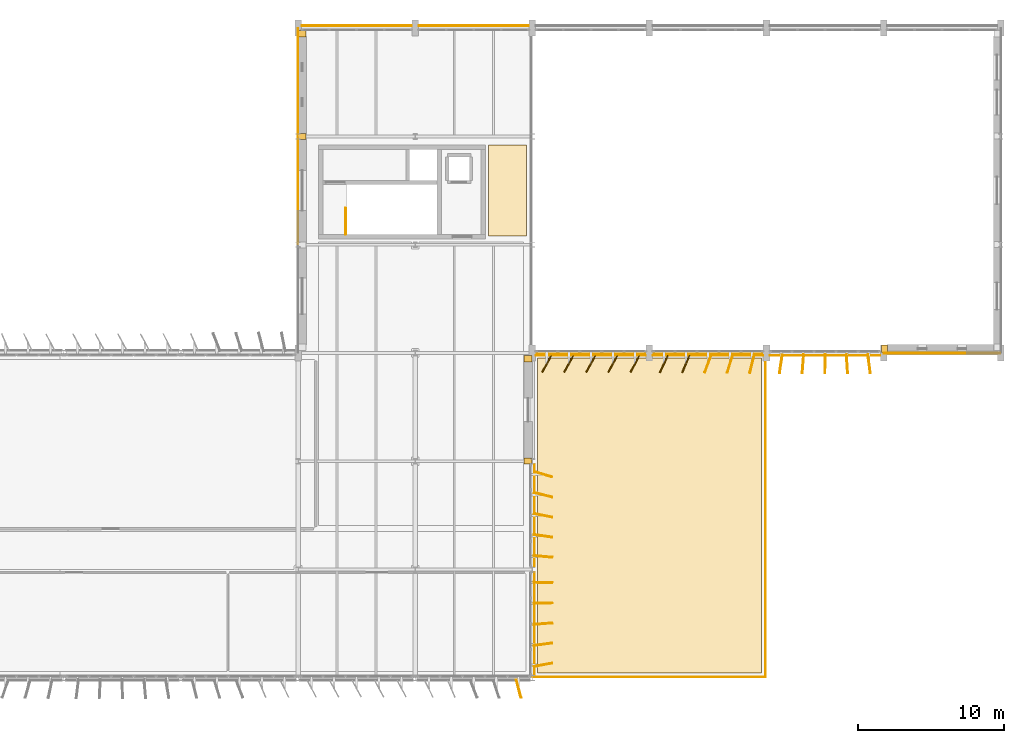
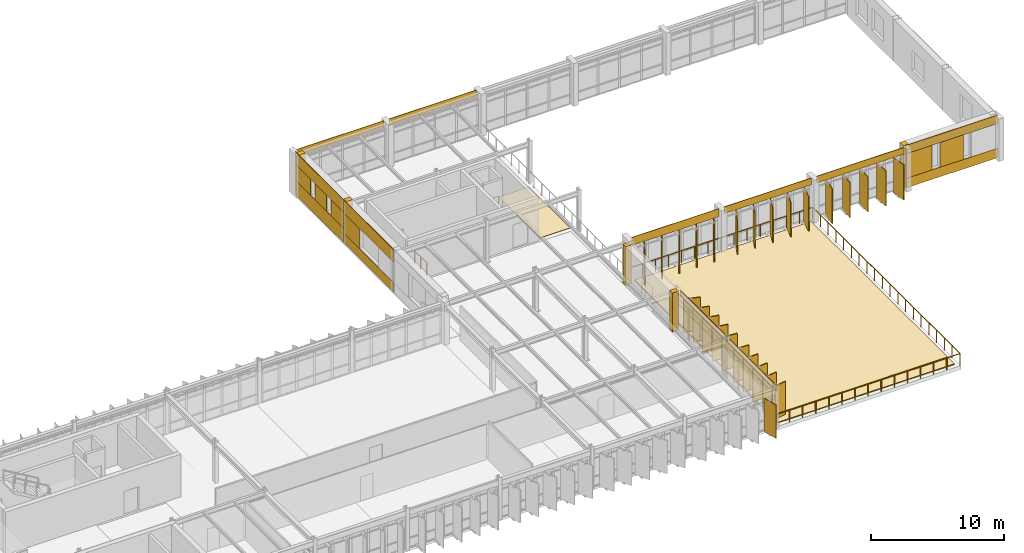
# One storey, part 44 of 45: 52 coverings, 4 railings.
"""IFC4 building model written with IfcOpenShell, lengths in metres."""

from ifc_helpers import new_model, si_unit, direction, frame, frame_2d, origin, origin_2d, place, context, subcontext, project, spatial, polyline, rectangle, circle, outline, extrude, material, layer, layer_set, type_object, element, save


model = new_model("IFC4")

# Units and contexts
model_context = context("Model", 3, precision=1e-05, world=origin(), true_north=direction((0.0, 1.0)))
body_context = subcontext(model_context, "Body", "Model", "MODEL_VIEW")
ifc_project = project(units=[si_unit("LENGTHUNIT", "METRE"), si_unit("AREAUNIT", "SQUARE_METRE"), si_unit("VOLUMEUNIT", "CUBIC_METRE"), si_unit("PLANEANGLEUNIT", "RADIAN"), si_unit("MASSUNIT", "GRAM", prefix="KILO")], contexts=[model_context])

# Site, building, storey
site_placement = place(None, origin())
site = spatial("IfcSite", under=ifc_project, at=site_placement, CompositionType="ELEMENT")
building_placement = place(site_placement, origin())
building = spatial("IfcBuilding", under=site, at=building_placement, Name="Valkorina Park Police Headquarters", CompositionType="ELEMENT")
storey_placement = place(building_placement, frame((0.0, 0.0, 23.300048828125)))
storey = spatial("IfcBuildingStorey", under=building, at=storey_placement, Name="L06", CompositionType="ELEMENT", Elevation=23.300048828125)

# Coverings
ifc_material_1 = material(Name="Precast concrete C40/50", Category="concrete")
ifc_layer_1 = layer(ifc_material_1, 0.044921875)
ifc_layer_set_1 = layer_set([ifc_layer_1], Name="Precast concrete C40/50")
covering_type_1 = type_object("IfcCoveringType", Name="COV-CLAD-DOLOMITE", PredefinedType="CLADDING", material=ifc_layer_set_1)
covering_1_placement = place(storey_placement, frame((81.090087890625, 73.97998046875, 0.0), z_axis=(0.0, 0.0, 1.0), x_axis=(0.0, 1.0, 0.0)))
element("IfcCovering", 1, at=covering_1_placement, inside=storey, type_object=covering_type_1, Name="L06 Exterior Joint Closure Pilaster B 2493", PredefinedType="CLADDING", context=body_context, shape_type="SweptSolid", body=[
    extrude(rectangle(XDim=0.419921875, YDim=0.52197265625, at=origin_2d()), origin(), (0.0, 0.0, 1.0), 3.89990234375),
])
covering_2_placement = place(storey_placement, frame((80.784912109375, 66.6201171875, 0.0), z_axis=(0.0, 0.0, 1.0), x_axis=(0.0, 1.0, 0.0)))
element("IfcCovering", 2, at=covering_2_placement, inside=storey, type_object=covering_type_1, Name="L06 Calm Concrete Base Sill Spandrel 2494", PredefinedType="CLADDING", context=body_context, shape_type="SweptSolid", body=[
    extrude(rectangle(XDim=7.35986328125, YDim=0.044921875, at=frame_2d((3.679931640625, 0.0))), origin(), (0.0, 0.0, 1.0), 0.869873046875),
])
covering_3_placement = place(storey_placement, frame((80.784912109375, 66.6201171875, 2.72998046875), z_axis=(0.0, 0.0, 1.0), x_axis=(0.0, 1.0, 0.0)))
element("IfcCovering", 3, at=covering_3_placement, inside=storey, type_object=covering_type_1, Name="L06 Calm Concrete Base Lintel Spandrel 2495", PredefinedType="CLADDING", context=body_context, shape_type="SweptSolid", body=[
    extrude(rectangle(XDim=7.35986328125, YDim=0.044921875, at=frame_2d((3.679931640625, 0.0))), origin(), (0.0, 0.0, 1.0), 1.169921875),
])
covering_4_placement = place(storey_placement, frame((80.784912109375, 71.72509765625, 0.869873046875), z_axis=(0.0, 0.0, 1.0), x_axis=(0.0, 1.0, 0.0)))
element("IfcCovering", 4, at=covering_4_placement, inside=storey, type_object=covering_type_1, Name="L06 Calm Concrete Base Slot Pier 2497", PredefinedType="CLADDING", context=body_context, shape_type="SweptSolid", body=[
    extrude(rectangle(XDim=2.2548828125, YDim=0.044921875, at=frame_2d((1.12744140625, 0.0))), origin(), (0.0, 0.0, 1.0), 1.860107421875),
])
covering_5_placement = place(storey_placement, frame((81.090087890625, 81.010009765625, 0.0), z_axis=(0.0, 0.0, 1.0), x_axis=(0.0, 1.0, 0.0)))
element("IfcCovering", 5, at=covering_5_placement, inside=storey, type_object=covering_type_1, Name="L06 Exterior Joint Closure Pilaster B 2498", PredefinedType="CLADDING", context=body_context, shape_type="SweptSolid", body=[
    extrude(rectangle(XDim=0.419921875, YDim=0.52197265625, at=origin_2d()), origin(), (0.0, 0.0, 1.0), 3.89990234375),
])
covering_6_placement = place(storey_placement, frame((80.784912109375, 74.02001953125, 0.0), z_axis=(0.0, 0.0, 1.0), x_axis=(0.0, 1.0, 0.0)))
element("IfcCovering", 6, at=covering_6_placement, inside=storey, type_object=covering_type_1, Name="L06 Calm Concrete Base Sill Spandrel 2499", PredefinedType="CLADDING", context=body_context, shape_type="SweptSolid", body=[
    extrude(rectangle(XDim=7.35986328125, YDim=0.044921875, at=frame_2d((3.679931640625, 0.0))), origin(), (0.0, 0.0, 1.0), 1.320068359375),
])
covering_7_placement = place(storey_placement, frame((80.784912109375, 74.02001953125, 2.780029296875), z_axis=(0.0, 0.0, 1.0), x_axis=(0.0, 1.0, 0.0)))
element("IfcCovering", 7, at=covering_7_placement, inside=storey, type_object=covering_type_1, Name="L06 Calm Concrete Base Lintel Spandrel 2500", PredefinedType="CLADDING", context=body_context, shape_type="SweptSolid", body=[
    extrude(rectangle(XDim=7.35986328125, YDim=0.044921875, at=frame_2d((3.679931640625, 0.0))), origin(), (0.0, 0.0, 1.0), 1.119873046875),
])
covering_8_placement = place(storey_placement, frame((80.784912109375, 74.02001953125, 1.320068359375), z_axis=(0.0, 0.0, 1.0), x_axis=(0.0, 1.0, 0.0)))
element("IfcCovering", 8, at=covering_8_placement, inside=storey, type_object=covering_type_1, Name="L06 Calm Concrete Base Slot Pier 2501", PredefinedType="CLADDING", context=body_context, shape_type="SweptSolid", body=[
    extrude(rectangle(XDim=1.972900390625, YDim=0.044921875, at=frame_2d((0.986328125, 0.0))), origin(), (0.0, 0.0, 1.0), 1.4599609375),
])
covering_9_placement = place(storey_placement, frame((80.784912109375, 76.64306640625, 1.320068359375), z_axis=(0.0, 0.0, 1.0), x_axis=(0.0, 1.0, 0.0)))
element("IfcCovering", 9, at=covering_9_placement, inside=storey, type_object=covering_type_1, Name="L06 Calm Concrete Base Slot Pier 2502", PredefinedType="CLADDING", context=body_context, shape_type="SweptSolid", body=[
    extrude(rectangle(XDim=1.743896484375, YDim=0.044921875, at=frame_2d((0.8720703125, 0.0))), origin(), (0.0, 0.0, 1.0), 1.4599609375),
])
covering_10_placement = place(storey_placement, frame((80.784912109375, 79.037109375, 1.320068359375), z_axis=(0.0, 0.0, 1.0), x_axis=(0.0, 1.0, 0.0)))
element("IfcCovering", 10, at=covering_10_placement, inside=storey, type_object=covering_type_1, Name="L06 Calm Concrete Base Slot Pier 2503", PredefinedType="CLADDING", context=body_context, shape_type="SweptSolid", body=[
    extrude(rectangle(XDim=2.3427734375, YDim=0.044921875, at=frame_2d((1.17138671875, 0.0))), origin(), (0.0, 0.0, 1.0), 1.4599609375),
])
for number, where, z_axis, x_axis, name in (
    (11, (81.034912109375, 81.56005859375, 3.280029296875), (0.0, 0.0, 1.0), (1.0, 0.0, 0.0), "L06 Spandrel Beam Insulated Fascia 2504"),
    (12, (89.034912109375, 81.56005859375, 3.280029296875), (0.0, 0.0, 1.0), (1.0, 0.0, 0.0), "L06 Spandrel Beam Insulated Fascia 2505"),
):
    element("IfcCovering", number, at=place(storey_placement, frame(where, z_axis=z_axis, x_axis=x_axis)), inside=storey, type_object=covering_type_1, Name=name, PredefinedType="CLADDING", context=body_context, shape_type="SweptSolid", body=[
        extrude(rectangle(XDim=7.530029296875, YDim=0.044921875, at=frame_2d((3.76513671875, 0.0))), origin(), (0.0, 0.0, 1.0), 0.619873046875),
    ])
covering_11_placement = place(storey_placement, frame((120.864990234375, 59.489990234375, 0.0), z_axis=(0.0, 0.0, 1.0), x_axis=(1.0, 0.0, 0.0)))
element("IfcCovering", 13, at=covering_11_placement, inside=storey, type_object=covering_type_1, Name="L06 Exterior Joint Closure Pilaster B 2527", PredefinedType="CLADDING", context=body_context, shape_type="SweptSolid", body=[
    extrude(rectangle(XDim=0.419921875, YDim=0.52197265625, at=origin_2d()), origin(), (0.0, 0.0, 1.0), 3.89990234375),
])
covering_12_placement = place(storey_placement, frame((128.780029296875, 59.18505859375, 0.0), z_axis=(0.0, 0.0, 1.0), x_axis=(-1.0, 0.0, 0.0)))
element("IfcCovering", 14, at=covering_12_placement, inside=storey, type_object=covering_type_1, Name="L06 Calm Concrete Base Sill Spandrel 2528", PredefinedType="CLADDING", context=body_context, shape_type="SweptSolid", body=[
    extrude(rectangle(XDim=7.9599609375, YDim=0.044921875, at=frame_2d((3.97998046875, 0.0))), origin(), (0.0, 0.0, 1.0), 0.869873046875),
])
covering_13_placement = place(storey_placement, frame((128.780029296875, 59.18505859375, 3.1298828125), z_axis=(0.0, 0.0, 1.0), x_axis=(-1.0, 0.0, 0.0)))
element("IfcCovering", 15, at=covering_13_placement, inside=storey, type_object=covering_type_1, Name="L06 Calm Concrete Base Lintel Spandrel 2529", PredefinedType="CLADDING", context=body_context, shape_type="SweptSolid", body=[
    extrude(rectangle(XDim=7.9599609375, YDim=0.044921875, at=frame_2d((3.97998046875, 0.0))), origin(), (0.0, 0.0, 1.0), 0.77001953125),
])
covering_14_placement = place(storey_placement, frame((125.805419921875, 59.18505859375, 0.869873046875), z_axis=(0.0, 0.0, 1.0), x_axis=(-1.0, 0.0, 0.0)))
element("IfcCovering", 16, at=covering_14_placement, inside=storey, type_object=covering_type_1, Name="L06 Calm Concrete Base Slot Pier 2531", PredefinedType="CLADDING", context=body_context, shape_type="SweptSolid", body=[
    extrude(rectangle(XDim=2.0107421875, YDim=0.044921875, at=frame_2d((1.00537109375, 0.0))), origin(), (0.0, 0.0, 1.0), 2.260009765625),
])
covering_15_placement = place(storey_placement, frame((123.094482421875, 59.18505859375, 0.869873046875), z_axis=(0.0, 0.0, 1.0), x_axis=(-1.0, 0.0, 0.0)))
element("IfcCovering", 17, at=covering_15_placement, inside=storey, type_object=covering_type_1, Name="L06 Calm Concrete Base Slot Pier 2532", PredefinedType="CLADDING", context=body_context, shape_type="SweptSolid", body=[
    extrude(rectangle(XDim=2.2744140625, YDim=0.044921875, at=frame_2d((1.13720703125, 0.0))), origin(), (0.0, 0.0, 1.0), 2.260009765625),
])
for number, where, z_axis, x_axis, name in (
    (18, (120.56494140625, 59.0400390625, 3.280029296875), (0.0, 0.0, 1.0), (-1.0, 0.0, 0.0), "L06 Spandrel Beam Insulated Fascia 2533"),
    (19, (112.56494140625, 59.0400390625, 3.280029296875), (0.0, 0.0, 1.0), (-1.0, 0.0, 0.0), "L06 Spandrel Beam Insulated Fascia 2534"),
):
    element("IfcCovering", number, at=place(storey_placement, frame(where, z_axis=z_axis, x_axis=x_axis)), inside=storey, type_object=covering_type_1, Name=name, PredefinedType="CLADDING", context=body_context, shape_type="SweptSolid", body=[
        extrude(rectangle(XDim=7.530029296875, YDim=0.044921875, at=frame_2d((3.76513671875, 0.0))), origin(), (0.0, 0.0, 1.0), 0.619873046875),
    ])
covering_16_placement = place(storey_placement, frame((104.56494140625, 59.0400390625, 3.169921875), z_axis=(0.0, 0.0, 1.0), x_axis=(-1.0, 0.0, 0.0)))
element("IfcCovering", 20, at=covering_16_placement, inside=storey, type_object=covering_type_1, Name="L06 Spandrel Beam Insulated Fascia 2535", PredefinedType="CLADDING", context=body_context, shape_type="SweptSolid", body=[
    extrude(rectangle(XDim=7.530029296875, YDim=0.044921875, at=frame_2d((3.76513671875, 0.0))), origin(), (0.0, 0.0, 1.0), 0.72998046875),
])
for number, where, z_axis, x_axis, name in (
    (21, (96.510009765625, 58.81005859375, 0.0), (0.0, 0.0, 1.0), (0.0, 1.0, 0.0), "L06 Exterior Joint Closure Pilaster A 2536"),
    (22, (96.510009765625, 51.820068359375, 0.0), (0.0, 0.0, 1.0), (0.0, 1.0, 0.0), "L06 Exterior Joint Closure Pilaster B 2537"),
):
    element("IfcCovering", number, at=place(storey_placement, frame(where, z_axis=z_axis, x_axis=x_axis)), inside=storey, type_object=covering_type_1, Name=name, PredefinedType="CLADDING", context=body_context, shape_type="SweptSolid", body=[
        extrude(rectangle(XDim=0.419921875, YDim=0.52197265625, at=origin_2d()), origin(), (0.0, 0.0, 1.0), 3.570068359375),
    ])
for number, where, z_axis, x_axis, name in (
    (23, (96.9599609375, 51.610107421875, 3.10986328125), (0.0, 0.0, 1.0), (0.0, -1.0, 0.0), "L06 Spandrel Beam Insulated Fascia 2538"),
    (24, (96.9599609375, 44.2099609375, 3.10986328125), (0.0, 0.0, 1.0), (0.0, -1.0, 0.0), "L06 Spandrel Beam Insulated Fascia 2539"),
):
    element("IfcCovering", number, at=place(storey_placement, frame(where, z_axis=z_axis, x_axis=x_axis)), inside=storey, type_object=covering_type_1, Name=name, PredefinedType="CLADDING", context=body_context, shape_type="SweptSolid", body=[
        extrude(rectangle(XDim=7.02001953125, YDim=0.044921875, at=frame_2d((3.510009765625, 0.0))), origin(), (0.0, 0.0, 1.0), 0.460205078125),
    ])
ifc_material_2 = material(Name="Resin terrazzo flooring")
ifc_layer_2 = layer(ifc_material_2, 0.030029296875)
ifc_layer_set_2 = layer_set([ifc_layer_2], Name="Resin terrazzo flooring")
covering_type_2 = type_object("IfcCoveringType", Name="COV-FLOOR-TERRAZZO", PredefinedType="FLOORING", material=ifc_layer_set_2)
covering_17_placement = place(storey_placement, origin())
element("IfcCovering", 25, at=covering_17_placement, inside=storey, type_object=covering_type_2, Name="Crisis Gallery East Link Corridor Terrazzo Flooring", PredefinedType="FLOORING", context=body_context, shape_type="SweptSolid", body=[
    extrude(outline(polyline([(93.800048828125, 73.39990234375), (93.800048828125, 67.199951171875), (96.39990234375, 67.199951171875), (96.39990234375, 73.39990234375), (93.800048828125, 73.39990234375)])), origin(), (0.0, 0.0, 1.0), 0.030029296875),
])
ifc_material_3 = material(Name="Planted green roof substrate")
ifc_layer_3 = layer(ifc_material_3, 0.080078125)
ifc_layer_set_3 = layer_set([ifc_layer_3], Name="Planted green roof substrate")
covering_type_3 = type_object("IfcCoveringType", Name="COV-ROOF-GREEN", PredefinedType="ROOFING", material=ifc_layer_set_3)
covering_18_placement = place(storey_placement, origin())
element("IfcCovering", 26, at=covering_18_placement, inside=storey, type_object=covering_type_3, Name="L06 Investigation Stepped Terrace Planted Substrate", PredefinedType="ROOFING", context=body_context, shape_type="SweptSolid", body=[
    extrude(outline(polyline([(112.449951171875, 58.842041015625), (97.14990234375, 58.842041015625), (97.14990234375, 37.35009765625), (112.449951171875, 37.35009765625), (112.449951171875, 58.842041015625)])), origin(), (0.0, 0.0, 1.0), 0.079833984375),
])

# Railings
ifc_material_4 = material(Name="Stainless steel EN 1.4404", Category="steel")
railing_type_1 = type_object("IfcRailingType", Name="RL-GUARD-EXT-1100", PredefinedType="BALUSTRADE", material=ifc_material_4)
railing_1_placement = place(storey_placement, frame((96.860107421875, 37.06005859375, 0.0)))
element("IfcRailing", 27, at=railing_1_placement, inside=storey, type_object=railing_type_1, Name="TERR-L06-EAST Perimeter Balustrade Guard 8", PredefinedType="BALUSTRADE", context=body_context, shape_type="SweptSolid", body=[
    extrude(circle(Radius=0.02392578125, at=origin_2d()), frame((0.0, 0.0, 1.09619140625), z_axis=(1.0, 0.0, 0.0), x_axis=(0.0, 1.0, 0.0)), (0.0, 0.0, 1.0), 15.8798828125),
    extrude(circle(Radius=0.02099609375, at=origin_2d()), origin(), (0.0, 0.0, 1.0), 1.072021484375),
    extrude(circle(Radius=0.02099609375, at=origin_2d()), frame((1.13427734375, 0.0, 0.0)), (0.0, 0.0, 1.0), 1.072021484375),
    extrude(circle(Radius=0.02099609375, at=origin_2d()), frame((2.2685546875, 0.0, 0.0)), (0.0, 0.0, 1.0), 1.072021484375),
    extrude(circle(Radius=0.02099609375, at=origin_2d()), frame((3.40283203125, 0.0, 0.0)), (0.0, 0.0, 1.0), 1.072021484375),
    extrude(circle(Radius=0.02099609375, at=origin_2d()), frame((4.537109375, 0.0, 0.0)), (0.0, 0.0, 1.0), 1.072021484375),
    extrude(circle(Radius=0.02099609375, at=origin_2d()), frame((5.67138671875, 0.0, 0.0)), (0.0, 0.0, 1.0), 1.072021484375),
    extrude(circle(Radius=0.02099609375, at=origin_2d()), frame((6.8056640625, 0.0, 0.0)), (0.0, 0.0, 1.0), 1.072021484375),
    extrude(circle(Radius=0.02099609375, at=origin_2d()), frame((7.93994140625, 0.0, 0.0)), (0.0, 0.0, 1.0), 1.072021484375),
    extrude(circle(Radius=0.02099609375, at=origin_2d()), frame((9.07421875, 0.0, 0.0)), (0.0, 0.0, 1.0), 1.072021484375),
    extrude(circle(Radius=0.02099609375, at=origin_2d()), frame((10.20849609375, 0.0, 0.0)), (0.0, 0.0, 1.0), 1.072021484375),
    extrude(circle(Radius=0.02099609375, at=origin_2d()), frame((11.3427734375, 0.0, 0.0)), (0.0, 0.0, 1.0), 1.072021484375),
    extrude(circle(Radius=0.02099609375, at=origin_2d()), frame((12.47705078125, 0.0, 0.0)), (0.0, 0.0, 1.0), 1.072021484375),
    extrude(circle(Radius=0.02099609375, at=origin_2d()), frame((13.611328125, 0.0, 0.0)), (0.0, 0.0, 1.0), 1.072021484375),
    extrude(circle(Radius=0.02099609375, at=origin_2d()), frame((14.74560546875, 0.0, 0.0)), (0.0, 0.0, 1.0), 1.072021484375),
    extrude(circle(Radius=0.02099609375, at=origin_2d()), frame((15.8798828125, 0.0, 0.0)), (0.0, 0.0, 1.0), 1.072021484375),
])
railing_2_placement = place(storey_placement, frame((112.739990234375, 37.06005859375, 0.0)))
element("IfcRailing", 28, at=railing_2_placement, inside=storey, type_object=railing_type_1, Name="TERR-L06-EAST Perimeter Balustrade Guard 9", PredefinedType="BALUSTRADE", context=body_context, shape_type="SweptSolid", body=[
    extrude(circle(Radius=0.02392578125, at=origin_2d()), frame((0.0, 0.0, 1.09619140625), z_axis=(0.0, 1.0, 0.0), x_axis=(-1.0, 0.0, 0.0)), (0.0, 0.0, 1.0), 22.072021484375),
    extrude(circle(Radius=0.02099609375, at=origin_2d()), origin(), (0.0, 0.0, 1.0), 1.072021484375),
    extrude(circle(Radius=0.02099609375, at=origin_2d()), frame((0.0, 1.16162109375, 0.0)), (0.0, 0.0, 1.0), 1.072021484375),
    extrude(circle(Radius=0.02099609375, at=origin_2d()), frame((0.0, 2.323486328125, 0.0)), (0.0, 0.0, 1.0), 1.072021484375),
    extrude(circle(Radius=0.02099609375, at=origin_2d()), frame((0.0, 3.485107421875, 0.0)), (0.0, 0.0, 1.0), 1.072021484375),
    extrude(circle(Radius=0.02099609375, at=origin_2d()), frame((0.0, 4.646728515625, 0.0)), (0.0, 0.0, 1.0), 1.072021484375),
    extrude(circle(Radius=0.02099609375, at=origin_2d()), frame((0.0, 5.808349609375, 0.0)), (0.0, 0.0, 1.0), 1.072021484375),
    extrude(circle(Radius=0.02099609375, at=origin_2d()), frame((0.0, 6.97021484375, 0.0)), (0.0, 0.0, 1.0), 1.072021484375),
    extrude(circle(Radius=0.02099609375, at=origin_2d()), frame((0.0, 8.1318359375, 0.0)), (0.0, 0.0, 1.0), 1.072021484375),
    extrude(circle(Radius=0.02099609375, at=origin_2d()), frame((0.0, 9.29345703125, 0.0)), (0.0, 0.0, 1.0), 1.072021484375),
    extrude(circle(Radius=0.02099609375, at=origin_2d()), frame((0.0, 10.455078125, 0.0)), (0.0, 0.0, 1.0), 1.072021484375),
    extrude(circle(Radius=0.02099609375, at=origin_2d()), frame((0.0, 11.616943359375, 0.0)), (0.0, 0.0, 1.0), 1.072021484375),
    extrude(circle(Radius=0.02099609375, at=origin_2d()), frame((0.0, 12.778564453125, 0.0)), (0.0, 0.0, 1.0), 1.072021484375),
    extrude(circle(Radius=0.02099609375, at=origin_2d()), frame((0.0, 13.940185546875, 0.0)), (0.0, 0.0, 1.0), 1.072021484375),
    extrude(circle(Radius=0.02099609375, at=origin_2d()), frame((0.0, 15.101806640625, 0.0)), (0.0, 0.0, 1.0), 1.072021484375),
    extrude(circle(Radius=0.02099609375, at=origin_2d()), frame((0.0, 16.263671875, 0.0)), (0.0, 0.0, 1.0), 1.072021484375),
    extrude(circle(Radius=0.02099609375, at=origin_2d()), frame((0.0, 17.42529296875, 0.0)), (0.0, 0.0, 1.0), 1.072021484375),
    extrude(circle(Radius=0.02099609375, at=origin_2d()), frame((0.0, 18.5869140625, 0.0)), (0.0, 0.0, 1.0), 1.072021484375),
    extrude(circle(Radius=0.02099609375, at=origin_2d()), frame((0.0, 19.74853515625, 0.0)), (0.0, 0.0, 1.0), 1.072021484375),
    extrude(circle(Radius=0.02099609375, at=origin_2d()), frame((0.0, 20.910400390625, 0.0)), (0.0, 0.0, 1.0), 1.072021484375),
    extrude(circle(Radius=0.02099609375, at=origin_2d()), frame((0.0, 22.072021484375, 0.0)), (0.0, 0.0, 1.0), 1.072021484375),
])
railing_3_placement = place(storey_placement, frame((112.739990234375, 59.132080078125, 0.0)))
element("IfcRailing", 29, at=railing_3_placement, inside=storey, type_object=railing_type_1, Name="TERR-L06-EAST Perimeter Balustrade Guard 10", PredefinedType="BALUSTRADE", context=body_context, shape_type="SweptSolid", body=[
    extrude(circle(Radius=0.02392578125, at=origin_2d()), frame((0.0, 0.0, 1.09619140625), z_axis=(-1.0, 0.0, 0.0), x_axis=(0.0, -1.0, 0.0)), (0.0, 0.0, 1.0), 15.8798828125),
    extrude(circle(Radius=0.02099609375, at=origin_2d()), origin(), (0.0, 0.0, 1.0), 1.072021484375),
    extrude(circle(Radius=0.02099609375, at=origin_2d()), frame((-1.13427734375, 0.0, 0.0)), (0.0, 0.0, 1.0), 1.072021484375),
    extrude(circle(Radius=0.02099609375, at=origin_2d()), frame((-2.2685546875, 0.0, 0.0)), (0.0, 0.0, 1.0), 1.072021484375),
    extrude(circle(Radius=0.02099609375, at=origin_2d()), frame((-3.40283203125, 0.0, 0.0)), (0.0, 0.0, 1.0), 1.072021484375),
    extrude(circle(Radius=0.02099609375, at=origin_2d()), frame((-4.537109375, 0.0, 0.0)), (0.0, 0.0, 1.0), 1.072021484375),
    extrude(circle(Radius=0.02099609375, at=origin_2d()), frame((-5.67138671875, 0.0, 0.0)), (0.0, 0.0, 1.0), 1.072021484375),
    extrude(circle(Radius=0.02099609375, at=origin_2d()), frame((-6.8056640625, 0.0, 0.0)), (0.0, 0.0, 1.0), 1.072021484375),
    extrude(circle(Radius=0.02099609375, at=origin_2d()), frame((-7.93994140625, 0.0, 0.0)), (0.0, 0.0, 1.0), 1.072021484375),
    extrude(circle(Radius=0.02099609375, at=origin_2d()), frame((-9.07421875, 0.0, 0.0)), (0.0, 0.0, 1.0), 1.072021484375),
    extrude(circle(Radius=0.02099609375, at=origin_2d()), frame((-10.20849609375, 0.0, 0.0)), (0.0, 0.0, 1.0), 1.072021484375),
    extrude(circle(Radius=0.02099609375, at=origin_2d()), frame((-11.3427734375, 0.0, 0.0)), (0.0, 0.0, 1.0), 1.072021484375),
    extrude(circle(Radius=0.02099609375, at=origin_2d()), frame((-12.47705078125, 0.0, 0.0)), (0.0, 0.0, 1.0), 1.072021484375),
    extrude(circle(Radius=0.02099609375, at=origin_2d()), frame((-13.611328125, 0.0, 0.0)), (0.0, 0.0, 1.0), 1.072021484375),
    extrude(circle(Radius=0.02099609375, at=origin_2d()), frame((-14.74560546875, 0.0, 0.0)), (0.0, 0.0, 1.0), 1.072021484375),
    extrude(circle(Radius=0.02099609375, at=origin_2d()), frame((-15.8798828125, 0.0, 0.0)), (0.0, 0.0, 1.0), 1.072021484375),
])
railing_type_2 = type_object("IfcRailingType", Name="RL-GUARD-INT-1100", PredefinedType="BALUSTRADE", material=ifc_material_4)
railing_4_placement = place(storey_placement, frame((84.050048828125, 67.300048828125, 0.0)))
element("IfcRailing", 30, at=railing_4_placement, inside=storey, type_object=railing_type_2, Name="L06 Core C6 Top Well Guard 1", PredefinedType="BALUSTRADE", context=body_context, shape_type="SweptSolid", body=[
    extrude(circle(Radius=0.02392578125, at=origin_2d()), frame((0.0, 0.0, 1.09619140625), z_axis=(0.0, 1.0, 0.0), x_axis=(-1.0, 0.0, 0.0)), (0.0, 0.0, 1.0), 1.800048828125),
    extrude(circle(Radius=0.02099609375, at=origin_2d()), origin(), (0.0, 0.0, 1.0), 1.072021484375),
    extrude(circle(Radius=0.02099609375, at=origin_2d()), frame((0.0, 0.89990234375, 0.0)), (0.0, 0.0, 1.0), 1.072021484375),
    extrude(circle(Radius=0.02099609375, at=origin_2d()), frame((0.0, 1.800048828125, 0.0)), (0.0, 0.0, 1.0), 1.072021484375),
])

# Coverings
ifc_material_5 = material(Name="Polychrome anodized aluminium - Baltic Amber", Category="aluminium")
ifc_layer_4 = layer(ifc_material_5, 0.06494140625)
ifc_layer_set_4 = layer_set([ifc_layer_4], Name="Polychrome anodized aluminium - Baltic Amber")
covering_type_4 = type_object("IfcCoveringType", Name="SHD-LOUVRE-AMBER", PredefinedType="CLADDING", material=ifc_layer_set_4)
for number, where, z_axis, x_axis, name in (
    (31, (119.81201171875, 58.4599609375, 0.0400390625), (0.0, 0.0, 1.0), (0.135888488485, -0.990724138546, 0.0), "V5 Polychrome Pivoting Louvre 0376"),
    (32, (113.7880859375, 58.4599609375, 0.0400390625), (0.0, 0.0, 1.0), (-0.148845024885, -0.988860535448, 0.0), "V5 Polychrome Pivoting Louvre 0380"),
    (33, (107.2939453125, 58.4599609375, 0.0400390625), (0.0, 0.0, 1.0), (-0.390891780942, -0.920436643986, 0.0), "V5 Polychrome Pivoting Louvre 0384"),
):
    element("IfcCovering", number, at=place(storey_placement, frame(where, z_axis=z_axis, x_axis=x_axis)), inside=storey, type_object=covering_type_4, Name=name, PredefinedType="CLADDING", context=body_context, shape_type="SweptSolid", body=[
        extrude(rectangle(XDim=1.280029296875, YDim=0.06494140625, at=origin_2d()), origin(), (0.0, 0.0, 1.0), 3.219970703125),
    ])
covering_19_placement = place(storey_placement, frame((100.800048828125, 58.4599609375, 0.0400390625), z_axis=(0.0, 0.0, 1.0), x_axis=(-0.484504290844, -0.874788884333, 0.0)))
element("IfcCovering", 34, at=covering_19_placement, inside=storey, type_object=covering_type_4, Name="V5 Polychrome Pivoting Louvre 0388", PredefinedType="CLADDING", context=body_context, shape_type="SweptSolid", body=[
    extrude(rectangle(XDim=1.280029296875, YDim=0.06494140625, at=origin_2d()), origin(), (0.0, 0.0, 1.0), 3.110107421875),
])
for number, where, z_axis, x_axis, name in (
    (35, (97.5400390625, 49.50390625, 0.0400390625), (0.0, 0.0, 1.0), (0.970632567035, -0.240566871809, 0.0), "V5 Polychrome Pivoting Louvre 0392"),
    (36, (97.5400390625, 43.508056640625, 0.0400390625), (0.0, 0.0, 1.0), (0.999666401551, -0.025828000486, 0.0), "V5 Polychrome Pivoting Louvre 0396"),
    (37, (97.5400390625, 37.89208984375, 0.0400390625), (0.0, 0.0, 1.0), (0.983286698687, 0.182063912362, 0.0), "V5 Polychrome Pivoting Louvre 0400"),
):
    element("IfcCovering", number, at=place(storey_placement, frame(where, z_axis=z_axis, x_axis=x_axis)), inside=storey, type_object=covering_type_4, Name=name, PredefinedType="CLADDING", context=body_context, shape_type="SweptSolid", body=[
        extrude(rectangle(XDim=1.280029296875, YDim=0.06494140625, at=origin_2d()), origin(), (0.0, 0.0, 1.0), 3.050048828125),
    ])
ifc_material_6 = material(Name="Polychrome anodized aluminium - Riga Ochre", Category="aluminium")
ifc_layer_5 = layer(ifc_material_6, 0.06494140625)
ifc_layer_set_5 = layer_set([ifc_layer_5], Name="Polychrome anodized aluminium - Riga Ochre")
covering_type_5 = type_object("IfcCoveringType", Name="SHD-LOUVRE-OCHRE", PredefinedType="CLADDING", material=ifc_layer_set_5)
for number, where, z_axis, x_axis, name in (
    (38, (116.800048828125, 58.4599609375, 0.0400390625), (0.0, 0.0, 1.0), (-0.006806731521, -0.999976833935, 0.0), "V5 Polychrome Pivoting Louvre 0378"),
    (39, (110.305908203125, 58.4599609375, 0.0400390625), (0.0, 0.0, 1.0), (-0.294040325232, -0.955793014798, 0.0), "V5 Polychrome Pivoting Louvre 0382"),
):
    element("IfcCovering", number, at=place(storey_placement, frame(where, z_axis=z_axis, x_axis=x_axis)), inside=storey, type_object=covering_type_5, Name=name, PredefinedType="CLADDING", context=body_context, shape_type="SweptSolid", body=[
        extrude(rectangle(XDim=1.280029296875, YDim=0.06494140625, at=origin_2d()), origin(), (0.0, 0.0, 1.0), 3.219970703125),
    ])
for number, where, z_axis, x_axis, name in (
    (40, (103.81201171875, 58.4599609375, 0.0400390625), (0.0, 0.0, 1.0), (-0.461748613235, -0.887010833178, 0.0), "V5 Polychrome Pivoting Louvre 0386"),
    (41, (97.7880859375, 58.4599609375, 0.0400390625), (0.0, 0.0, 1.0), (-0.471165834227, -0.882044645501, 0.0), "V5 Polychrome Pivoting Louvre 0390"),
):
    element("IfcCovering", number, at=place(storey_placement, frame(where, z_axis=z_axis, x_axis=x_axis)), inside=storey, type_object=covering_type_5, Name=name, PredefinedType="CLADDING", context=body_context, shape_type="SweptSolid", body=[
        extrude(rectangle(XDim=1.280029296875, YDim=0.06494140625, at=origin_2d()), origin(), (0.0, 0.0, 1.0), 3.110107421875),
    ])
for number, where, z_axis, x_axis, name in (
    (42, (97.5400390625, 46.696044921875, 0.0400390625), (0.0, 0.0, 1.0), (0.989525789069, -0.144356201001, 0.0), "V5 Polychrome Pivoting Louvre 0394"),
    (43, (97.5400390625, 40.699951171875, 0.0400390625), (0.0, 0.0, 1.0), (0.996778878456, 0.080198924329, 0.0), "V5 Polychrome Pivoting Louvre 0398"),
):
    element("IfcCovering", number, at=place(storey_placement, frame(where, z_axis=z_axis, x_axis=x_axis)), inside=storey, type_object=covering_type_5, Name=name, PredefinedType="CLADDING", context=body_context, shape_type="SweptSolid", body=[
        extrude(rectangle(XDim=1.280029296875, YDim=0.06494140625, at=origin_2d()), origin(), (0.0, 0.0, 1.0), 3.050048828125),
    ])
ifc_material_7 = material(Name="Polychrome anodized aluminium - Courland Slate Blue", Category="masonry")
ifc_layer_6 = layer(ifc_material_7, 0.06494140625)
ifc_layer_set_6 = layer_set([ifc_layer_6], Name="Polychrome anodized aluminium - Courland Slate Blue")
covering_type_6 = type_object("IfcCoveringType", Name="SHD-LOUVRE-SLATE", PredefinedType="CLADDING", material=ifc_layer_set_6)
for number, where, z_axis, x_axis, name in (
    (44, (115.2939453125, 58.4599609375, 0.0400390625), (0.0, 0.0, 1.0), (-0.078807080738, -0.996889885607, 0.0), "V5 Polychrome Pivoting Louvre 0379"),
    (45, (108.800048828125, 58.4599609375, 0.0400390625), (0.0, 0.0, 1.0), (-0.346280797083, -0.938130912811, 0.0), "V5 Polychrome Pivoting Louvre 0383"),
):
    element("IfcCovering", number, at=place(storey_placement, frame(where, z_axis=z_axis, x_axis=x_axis)), inside=storey, type_object=covering_type_6, Name=name, PredefinedType="CLADDING", context=body_context, shape_type="SweptSolid", body=[
        extrude(rectangle(XDim=1.280029296875, YDim=0.06494140625, at=origin_2d()), origin(), (0.0, 0.0, 1.0), 3.219970703125),
    ])
covering_20_placement = place(storey_placement, frame((102.305908203125, 58.4599609375, 0.0400390625), z_axis=(0.0, 0.0, 1.0), x_axis=(-0.477618842395, -0.878567152464, 0.0)))
element("IfcCovering", 46, at=covering_20_placement, inside=storey, type_object=covering_type_6, Name="V5 Polychrome Pivoting Louvre 0387", PredefinedType="CLADDING", context=body_context, shape_type="SweptSolid", body=[
    extrude(rectangle(XDim=1.280029296875, YDim=0.06494140625, at=origin_2d()), origin(), (0.0, 0.0, 1.0), 3.110107421875),
])
for number, where, z_axis, x_axis, name in (
    (47, (97.5400390625, 50.907958984375, 0.0400390625), (0.0, 0.0, 1.0), (0.958720536398, -0.28435001862, 0.0), "V5 Polychrome Pivoting Louvre 0391"),
    (48, (97.5400390625, 45.2919921875, 0.0400390625), (0.0, 0.0, 1.0), (0.995676196569, -0.092891934994, 0.0), "V5 Polychrome Pivoting Louvre 0395"),
    (49, (97.5400390625, 39.2958984375, 0.0400390625), (0.0, 0.0, 1.0), (0.991238608249, 0.132083388496, 0.0), "V5 Polychrome Pivoting Louvre 0399"),
):
    element("IfcCovering", number, at=place(storey_placement, frame(where, z_axis=z_axis, x_axis=x_axis)), inside=storey, type_object=covering_type_6, Name=name, PredefinedType="CLADDING", context=body_context, shape_type="SweptSolid", body=[
        extrude(rectangle(XDim=1.280029296875, YDim=0.06494140625, at=origin_2d()), origin(), (0.0, 0.0, 1.0), 3.050048828125),
    ])
ifc_material_8 = material(Name="Polychrome anodized aluminium - Pine Verdigris", Category="aluminium")
ifc_layer_7 = layer(ifc_material_8, 0.06494140625)
ifc_layer_set_7 = layer_set([ifc_layer_7], Name="Polychrome anodized aluminium - Pine Verdigris")
covering_type_7 = type_object("IfcCoveringType", Name="SHD-LOUVRE-VERDIGRIS", PredefinedType="CLADDING", material=ifc_layer_set_7)
for number, where, z_axis, x_axis, name in (
    (50, (118.305908203125, 58.4599609375, 0.0400390625), (0.0, 0.0, 1.0), (0.06540312923, -0.997858923239, 0.0), "V5 Polychrome Pivoting Louvre 0377"),
    (51, (111.81201171875, 58.4599609375, 0.0400390625), (0.0, 0.0, 1.0), (-0.234802820391, -0.972043021443, 0.0), "V5 Polychrome Pivoting Louvre 0381"),
    (52, (105.7880859375, 58.4599609375, 0.0400390625), (0.0, 0.0, 1.0), (-0.427200064707, -0.904157123908, 0.0), "V5 Polychrome Pivoting Louvre 0385"),
):
    element("IfcCovering", number, at=place(storey_placement, frame(where, z_axis=z_axis, x_axis=x_axis)), inside=storey, type_object=covering_type_7, Name=name, PredefinedType="CLADDING", context=body_context, shape_type="SweptSolid", body=[
        extrude(rectangle(XDim=1.280029296875, YDim=0.06494140625, at=origin_2d()), origin(), (0.0, 0.0, 1.0), 3.219970703125),
    ])
covering_21_placement = place(storey_placement, frame((99.2939453125, 58.4599609375, 0.0400390625), z_axis=(0.0, 0.0, 1.0), x_axis=(-0.482365334125, -0.875970139009, 0.0)))
element("IfcCovering", 53, at=covering_21_placement, inside=storey, type_object=covering_type_7, Name="V5 Polychrome Pivoting Louvre 0389", PredefinedType="CLADDING", context=body_context, shape_type="SweptSolid", body=[
    extrude(rectangle(XDim=1.280029296875, YDim=0.06494140625, at=origin_2d()), origin(), (0.0, 0.0, 1.0), 3.110107421875),
])
for number, where, z_axis, x_axis, name in (
    (54, (97.5400390625, 48.10009765625, 0.0400390625), (0.0, 0.0, 1.0), (0.981056721746, -0.1937206977, 0.0), "V5 Polychrome Pivoting Louvre 0393"),
    (55, (97.5400390625, 42.10400390625, 0.0400390625), (0.0, 0.0, 1.0), (0.999624597751, 0.027398240288, 0.0), "V5 Polychrome Pivoting Louvre 0397"),
    (56, (95.8720703125, 36.260009765625, 0.0400390625), (0.0, 0.0, 1.0), (0.251055837542, -0.967972606243, 0.0), "V5 Polychrome Pivoting Louvre 0401"),
):
    element("IfcCovering", number, at=place(storey_placement, frame(where, z_axis=z_axis, x_axis=x_axis)), inside=storey, type_object=covering_type_7, Name=name, PredefinedType="CLADDING", context=body_context, shape_type="SweptSolid", body=[
        extrude(rectangle(XDim=1.280029296875, YDim=0.06494140625, at=origin_2d()), origin(), (0.0, 0.0, 1.0), 3.050048828125),
    ])

save(model, "model.ifc")
